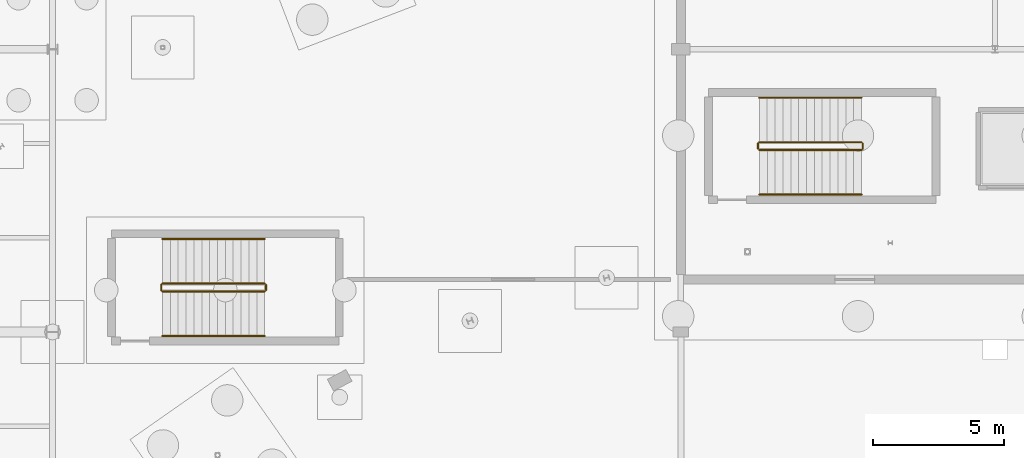
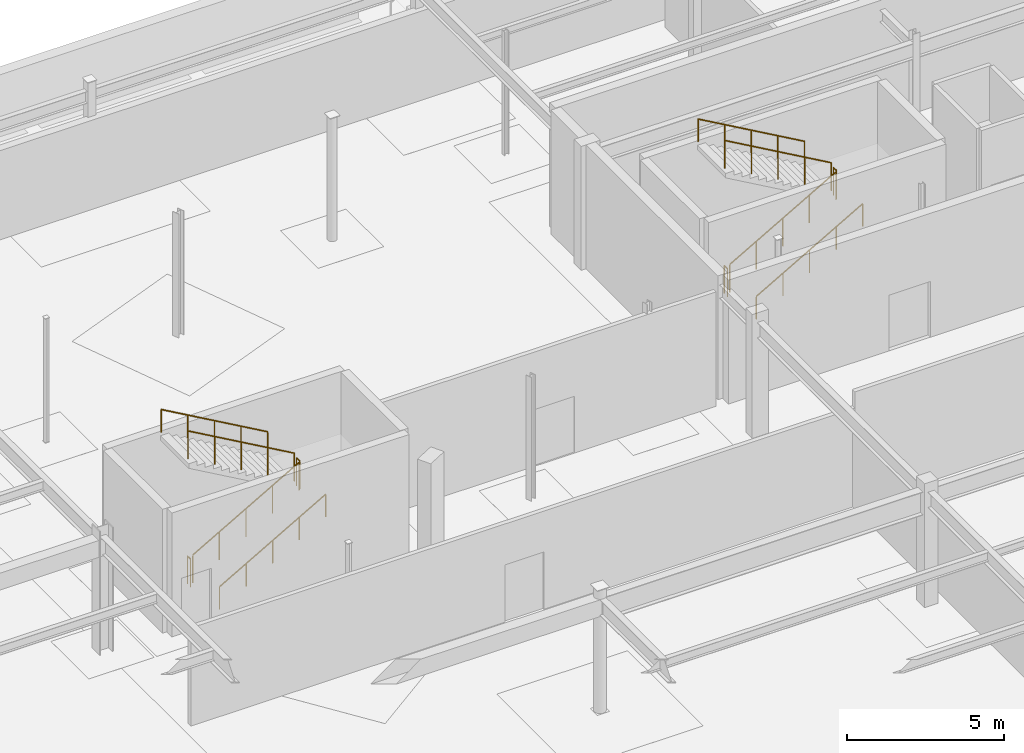
# One storey, part 132 of 136: 12 railings.
"""IFC4 building model written with IfcOpenShell, lengths in metres."""

from ifc_helpers import new_model, si_unit, direction, frame, origin, origin_2d, place, context, subcontext, project, spatial, circle, extrude, material, type_object, element, save


model = new_model("IFC4")

# Units and contexts
model_context = context("Model", 3, precision=1e-05, world=origin(), true_north=direction((0.0, 1.0)))
body_context = subcontext(model_context, "Body", "Model", "MODEL_VIEW")
ifc_project = project(units=[si_unit("LENGTHUNIT", "METRE"), si_unit("AREAUNIT", "SQUARE_METRE"), si_unit("VOLUMEUNIT", "CUBIC_METRE"), si_unit("PLANEANGLEUNIT", "RADIAN"), si_unit("MASSUNIT", "GRAM", prefix="KILO")], contexts=[model_context])

# Site, building, storey
site_placement = place(None, origin())
site = spatial("IfcSite", under=ifc_project, at=site_placement, CompositionType="ELEMENT")
building_placement = place(site_placement, origin())
building = spatial("IfcBuilding", under=site, at=building_placement, Name="Tarnwether General Hospital", CompositionType="ELEMENT")
storey_placement = place(building_placement, frame((0.0, 0.0, -4.800048828125)))
storey = spatial("IfcBuildingStorey", under=building, at=storey_placement, Name="LG", CompositionType="ELEMENT", Elevation=-4.800048828125)

# Railings
ifc_material_1 = material(Name="Anodised aluminium", Category="aluminium")
railing_type_1 = type_object("IfcRailingType", Name="RL-GRD-INT", PredefinedType="GUARDRAIL", material=ifc_material_1)
railing_1_placement = place(storey_placement, frame((87.0, 111.35009765625, 0.17138671875)))
element("IfcRailing", 1, at=railing_1_placement, inside=storey, type_object=railing_type_1, Name="LG ST-01 stair guard 1", PredefinedType="GUARDRAIL", context=body_context, shape_type="SweptSolid", body=[
    extrude(circle(Radius=0.02392578125, at=origin_2d()), frame((0.0, 0.0, 1.076171875), z_axis=(0.868219727965, 0.0, 0.496179910892), x_axis=(0.0, 1.0, 0.0)), (0.0, 0.0, 1.0), 4.491943359375),
    extrude(circle(Radius=0.02099609375, at=origin_2d()), origin(), (0.0, 0.0, 1.0), 1.052001953125),
    extrude(circle(Radius=0.02099609375, at=origin_2d()), frame((0.97509765625, 0.0, 0.55712890625)), (0.0, 0.0, 1.0), 1.052001953125),
    extrude(circle(Radius=0.02099609375, at=origin_2d()), frame((1.949951171875, 0.0, 1.1142578125)), (0.0, 0.0, 1.0), 1.052001953125),
    extrude(circle(Radius=0.02099609375, at=origin_2d()), frame((2.9248046875, 0.0, 1.671630859375)), (0.0, 0.0, 1.0), 1.052001953125),
    extrude(circle(Radius=0.02099609375, at=origin_2d()), frame((3.89990234375, 0.0, 2.228759765625)), (0.0, 0.0, 1.0), 1.052001953125),
])
railing_2_placement = place(storey_placement, frame((90.949951171875, 111.39990234375, 2.400146484375)))
element("IfcRailing", 2, at=railing_2_placement, inside=storey, type_object=railing_type_1, Name="LG ST-01 stair guard 2", PredefinedType="GUARDRAIL", context=body_context, shape_type="SweptSolid", body=[
    extrude(circle(Radius=0.02392578125, at=origin_2d()), frame((0.0, 0.0, 1.076171875), z_axis=(0.0, 1.0, 0.0), x_axis=(-1.0, 0.0, 0.0)), (0.0, 0.0, 1.0), 0.2001953125),
    extrude(circle(Radius=0.02099609375, at=origin_2d()), origin(), (0.0, 0.0, 1.0), 1.052001953125),
    extrude(circle(Radius=0.02099609375, at=origin_2d()), frame((0.0, 0.2001953125, 0.0)), (0.0, 0.0, 1.0), 1.052001953125),
])
railing_3_placement = place(storey_placement, frame((90.89990234375, 111.64990234375, 2.571533203125)))
element("IfcRailing", 3, at=railing_3_placement, inside=storey, type_object=railing_type_1, Name="LG ST-01 stair guard 3", PredefinedType="GUARDRAIL", context=body_context, shape_type="SweptSolid", body=[
    extrude(circle(Radius=0.02392578125, at=origin_2d()), frame((0.0, 0.0, 1.076171875), z_axis=(-0.868243142124, 0.0, 0.496138938357), x_axis=(0.0, -1.0, 0.0)), (0.0, 0.0, 1.0), 4.49169921875),
    extrude(circle(Radius=0.02099609375, at=origin_2d()), origin(), (0.0, 0.0, 1.0), 1.052001953125),
    extrude(circle(Radius=0.02099609375, at=origin_2d()), frame((-0.97509765625, 0.0, 0.55712890625)), (0.0, 0.0, 1.0), 1.052001953125),
    extrude(circle(Radius=0.02099609375, at=origin_2d()), frame((-1.949951171875, 0.0, 1.1142578125)), (0.0, 0.0, 1.0), 1.052001953125),
    extrude(circle(Radius=0.02099609375, at=origin_2d()), frame((-2.9248046875, 0.0, 1.67138671875)), (0.0, 0.0, 1.0), 1.052001953125),
    extrude(circle(Radius=0.02099609375, at=origin_2d()), frame((-3.89990234375, 0.0, 2.228515625)), (0.0, 0.0, 1.0), 1.052001953125),
])
railing_4_placement = place(storey_placement, frame((86.949951171875, 111.39990234375, 0.0)))
element("IfcRailing", 4, at=railing_4_placement, inside=storey, type_object=railing_type_1, Name="LG ST-01 stair guard 4", PredefinedType="GUARDRAIL", context=body_context, shape_type="SweptSolid", body=[
    extrude(circle(Radius=0.02392578125, at=origin_2d()), frame((0.0, 0.0, 1.076171875), z_axis=(0.0, 1.0, 0.0), x_axis=(-1.0, 0.0, 0.0)), (0.0, 0.0, 1.0), 0.2001953125),
    extrude(circle(Radius=0.02099609375, at=origin_2d()), origin(), (0.0, 0.0, 1.0), 1.052001953125),
    extrude(circle(Radius=0.02099609375, at=origin_2d()), frame((0.0, 0.2001953125, 0.0)), (0.0, 0.0, 1.0), 1.052001953125),
])
railing_5_placement = place(storey_placement, frame((64.199951171875, 105.949951171875, 0.17138671875)))
element("IfcRailing", 5, at=railing_5_placement, inside=storey, type_object=railing_type_1, Name="LG ST-07 stair guard 1", PredefinedType="GUARDRAIL", context=body_context, shape_type="SweptSolid", body=[
    extrude(circle(Radius=0.02392578125, at=origin_2d()), frame((0.0, 0.0, 1.076171875), z_axis=(0.868233108195, 0.0, 0.496156497321), x_axis=(0.0, 1.0, 0.0)), (0.0, 0.0, 1.0), 4.491943359375),
    extrude(circle(Radius=0.02099609375, at=origin_2d()), origin(), (0.0, 0.0, 1.0), 1.052001953125),
    extrude(circle(Radius=0.02099609375, at=origin_2d()), frame((0.97509765625, 0.0, 0.55712890625)), (0.0, 0.0, 1.0), 1.052001953125),
    extrude(circle(Radius=0.02099609375, at=origin_2d()), frame((1.9501953125, 0.0, 1.1142578125)), (0.0, 0.0, 1.0), 1.052001953125),
    extrude(circle(Radius=0.02099609375, at=origin_2d()), frame((2.925048828125, 0.0, 1.671630859375)), (0.0, 0.0, 1.0), 1.052001953125),
    extrude(circle(Radius=0.02099609375, at=origin_2d()), frame((3.900146484375, 0.0, 2.228759765625)), (0.0, 0.0, 1.0), 1.052001953125),
])
railing_6_placement = place(storey_placement, frame((68.14990234375, 106.0, 2.400146484375)))
element("IfcRailing", 6, at=railing_6_placement, inside=storey, type_object=railing_type_1, Name="LG ST-07 stair guard 2", PredefinedType="GUARDRAIL", context=body_context, shape_type="SweptSolid", body=[
    extrude(circle(Radius=0.02392578125, at=origin_2d()), frame((0.0, 0.0, 1.076171875), z_axis=(0.0, 1.0, 0.0), x_axis=(-1.0, 0.0, 0.0)), (0.0, 0.0, 1.0), 0.199951171875),
    extrude(circle(Radius=0.02099609375, at=origin_2d()), origin(), (0.0, 0.0, 1.0), 1.052001953125),
    extrude(circle(Radius=0.02099609375, at=origin_2d()), frame((0.0, 0.199951171875, 0.0)), (0.0, 0.0, 1.0), 1.052001953125),
])
railing_7_placement = place(storey_placement, frame((68.10009765625, 106.25, 2.571533203125)))
element("IfcRailing", 7, at=railing_7_placement, inside=storey, type_object=railing_type_1, Name="LG ST-07 stair guard 3", PredefinedType="GUARDRAIL", context=body_context, shape_type="SweptSolid", body=[
    extrude(circle(Radius=0.02392578125, at=origin_2d()), frame((0.0, 0.0, 1.076171875), z_axis=(-0.868256520506, 0.0, 0.496115525457), x_axis=(0.0, -1.0, 0.0)), (0.0, 0.0, 1.0), 4.491943359375),
    extrude(circle(Radius=0.02099609375, at=origin_2d()), origin(), (0.0, 0.0, 1.0), 1.052001953125),
    extrude(circle(Radius=0.02099609375, at=origin_2d()), frame((-0.97509765625, 0.0, 0.55712890625)), (0.0, 0.0, 1.0), 1.052001953125),
    extrude(circle(Radius=0.02099609375, at=origin_2d()), frame((-1.9501953125, 0.0, 1.1142578125)), (0.0, 0.0, 1.0), 1.052001953125),
    extrude(circle(Radius=0.02099609375, at=origin_2d()), frame((-2.925048828125, 0.0, 1.67138671875)), (0.0, 0.0, 1.0), 1.052001953125),
    extrude(circle(Radius=0.02099609375, at=origin_2d()), frame((-3.900146484375, 0.0, 2.228515625)), (0.0, 0.0, 1.0), 1.052001953125),
])
railing_8_placement = place(storey_placement, frame((64.14990234375, 106.0, 0.0)))
element("IfcRailing", 8, at=railing_8_placement, inside=storey, type_object=railing_type_1, Name="LG ST-07 stair guard 4", PredefinedType="GUARDRAIL", context=body_context, shape_type="SweptSolid", body=[
    extrude(circle(Radius=0.02392578125, at=origin_2d()), frame((0.0, 0.0, 1.076171875), z_axis=(0.0, 1.0, 0.0), x_axis=(-1.0, 0.0, 0.0)), (0.0, 0.0, 1.0), 0.199951171875),
    extrude(circle(Radius=0.02099609375, at=origin_2d()), origin(), (0.0, 0.0, 1.0), 1.052001953125),
    extrude(circle(Radius=0.02099609375, at=origin_2d()), frame((0.0, 0.199951171875, 0.0)), (0.0, 0.0, 1.0), 1.052001953125),
])
ifc_material_2 = material(Name="Anodised aluminium", Category="aluminium")
railing_type_2 = type_object("IfcRailingType", Name="RL-HND-INT", PredefinedType="HANDRAIL", material=ifc_material_2)
railing_9_placement = place(storey_placement, frame((87.0, 109.64990234375, 0.17138671875)))
element("IfcRailing", 9, at=railing_9_placement, inside=storey, type_object=railing_type_2, Name="LG ST-01 stair handrail 1", PredefinedType="HANDRAIL", context=body_context, shape_type="SweptSolid", body=[
    extrude(circle(Radius=0.02392578125, at=origin_2d()), frame((0.0, 0.0, 0.8759765625), z_axis=(0.868219727965, 0.0, 0.496179910892), x_axis=(0.0, 1.0, 0.0)), (0.0, 0.0, 1.0), 4.491943359375),
    extrude(circle(Radius=0.02099609375, at=origin_2d()), origin(), (0.0, 0.0, 1.0), 0.851806640625),
    extrude(circle(Radius=0.02099609375, at=origin_2d()), frame((0.97509765625, 0.0, 0.55712890625)), (0.0, 0.0, 1.0), 0.851806640625),
    extrude(circle(Radius=0.02099609375, at=origin_2d()), frame((1.949951171875, 0.0, 1.1142578125)), (0.0, 0.0, 1.0), 0.851806640625),
    extrude(circle(Radius=0.02099609375, at=origin_2d()), frame((2.9248046875, 0.0, 1.671630859375)), (0.0, 0.0, 1.0), 0.851806640625),
    extrude(circle(Radius=0.02099609375, at=origin_2d()), frame((3.89990234375, 0.0, 2.228759765625)), (0.0, 0.0, 1.0), 0.851806640625),
])
railing_10_placement = place(storey_placement, frame((90.89990234375, 113.35009765625, 2.571533203125)))
element("IfcRailing", 10, at=railing_10_placement, inside=storey, type_object=railing_type_2, Name="LG ST-01 stair handrail 2", PredefinedType="HANDRAIL", context=body_context, shape_type="SweptSolid", body=[
    extrude(circle(Radius=0.02392578125, at=origin_2d()), frame((0.0, 0.0, 0.8759765625), z_axis=(-0.868243142124, 0.0, 0.496138938357), x_axis=(0.0, -1.0, 0.0)), (0.0, 0.0, 1.0), 4.49169921875),
    extrude(circle(Radius=0.02099609375, at=origin_2d()), origin(), (0.0, 0.0, 1.0), 0.851806640625),
    extrude(circle(Radius=0.02099609375, at=origin_2d()), frame((-0.97509765625, 0.0, 0.55712890625)), (0.0, 0.0, 1.0), 0.851806640625),
    extrude(circle(Radius=0.02099609375, at=origin_2d()), frame((-1.949951171875, 0.0, 1.1142578125)), (0.0, 0.0, 1.0), 0.851806640625),
    extrude(circle(Radius=0.02099609375, at=origin_2d()), frame((-2.9248046875, 0.0, 1.67138671875)), (0.0, 0.0, 1.0), 0.851806640625),
    extrude(circle(Radius=0.02099609375, at=origin_2d()), frame((-3.89990234375, 0.0, 2.228515625)), (0.0, 0.0, 1.0), 0.851806640625),
])
railing_11_placement = place(storey_placement, frame((64.199951171875, 104.25, 0.17138671875)))
element("IfcRailing", 11, at=railing_11_placement, inside=storey, type_object=railing_type_2, Name="LG ST-07 stair handrail 1", PredefinedType="HANDRAIL", context=body_context, shape_type="SweptSolid", body=[
    extrude(circle(Radius=0.02392578125, at=origin_2d()), frame((0.0, 0.0, 0.8759765625), z_axis=(0.868233108195, 0.0, 0.496156497321), x_axis=(0.0, 1.0, 0.0)), (0.0, 0.0, 1.0), 4.491943359375),
    extrude(circle(Radius=0.02099609375, at=origin_2d()), origin(), (0.0, 0.0, 1.0), 0.851806640625),
    extrude(circle(Radius=0.02099609375, at=origin_2d()), frame((0.97509765625, 0.0, 0.55712890625)), (0.0, 0.0, 1.0), 0.851806640625),
    extrude(circle(Radius=0.02099609375, at=origin_2d()), frame((1.9501953125, 0.0, 1.1142578125)), (0.0, 0.0, 1.0), 0.851806640625),
    extrude(circle(Radius=0.02099609375, at=origin_2d()), frame((2.925048828125, 0.0, 1.671630859375)), (0.0, 0.0, 1.0), 0.851806640625),
    extrude(circle(Radius=0.02099609375, at=origin_2d()), frame((3.900146484375, 0.0, 2.228759765625)), (0.0, 0.0, 1.0), 0.851806640625),
])
railing_12_placement = place(storey_placement, frame((68.10009765625, 107.949951171875, 2.571533203125)))
element("IfcRailing", 12, at=railing_12_placement, inside=storey, type_object=railing_type_2, Name="LG ST-07 stair handrail 2", PredefinedType="HANDRAIL", context=body_context, shape_type="SweptSolid", body=[
    extrude(circle(Radius=0.02392578125, at=origin_2d()), frame((0.0, 0.0, 0.8759765625), z_axis=(-0.868256520506, 0.0, 0.496115525457), x_axis=(0.0, -1.0, 0.0)), (0.0, 0.0, 1.0), 4.491943359375),
    extrude(circle(Radius=0.02099609375, at=origin_2d()), origin(), (0.0, 0.0, 1.0), 0.851806640625),
    extrude(circle(Radius=0.02099609375, at=origin_2d()), frame((-0.97509765625, 0.0, 0.55712890625)), (0.0, 0.0, 1.0), 0.851806640625),
    extrude(circle(Radius=0.02099609375, at=origin_2d()), frame((-1.9501953125, 0.0, 1.1142578125)), (0.0, 0.0, 1.0), 0.851806640625),
    extrude(circle(Radius=0.02099609375, at=origin_2d()), frame((-2.925048828125, 0.0, 1.67138671875)), (0.0, 0.0, 1.0), 0.851806640625),
    extrude(circle(Radius=0.02099609375, at=origin_2d()), frame((-3.900146484375, 0.0, 2.228515625)), (0.0, 0.0, 1.0), 0.851806640625),
])

save(model, "model.ifc")
